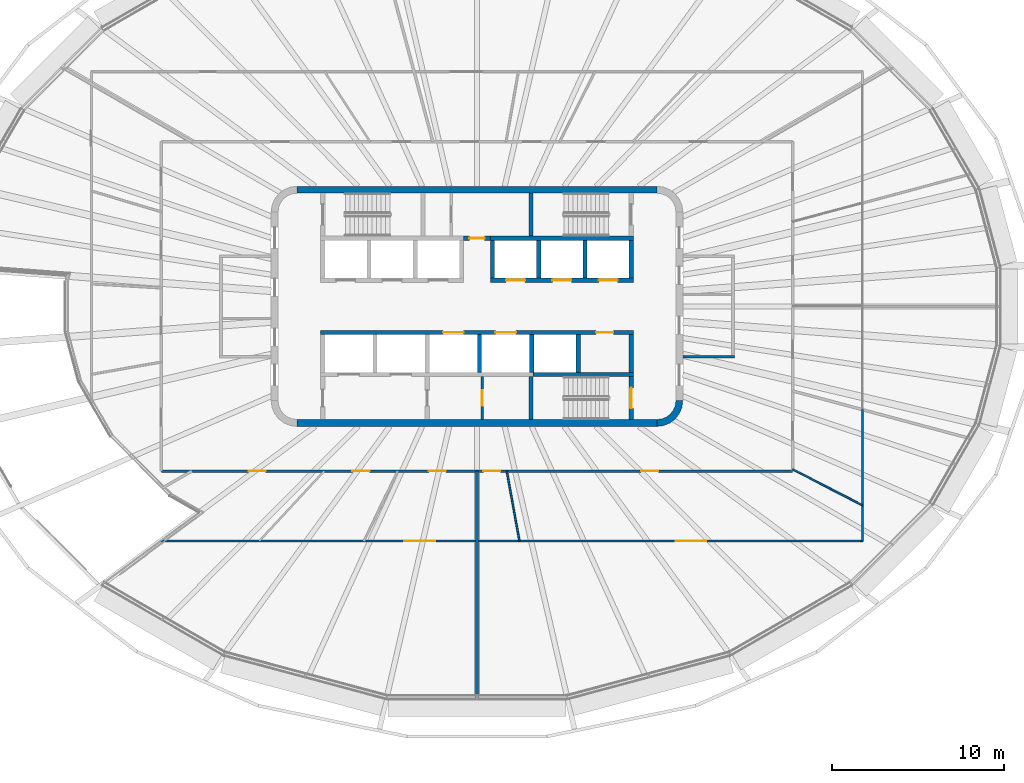
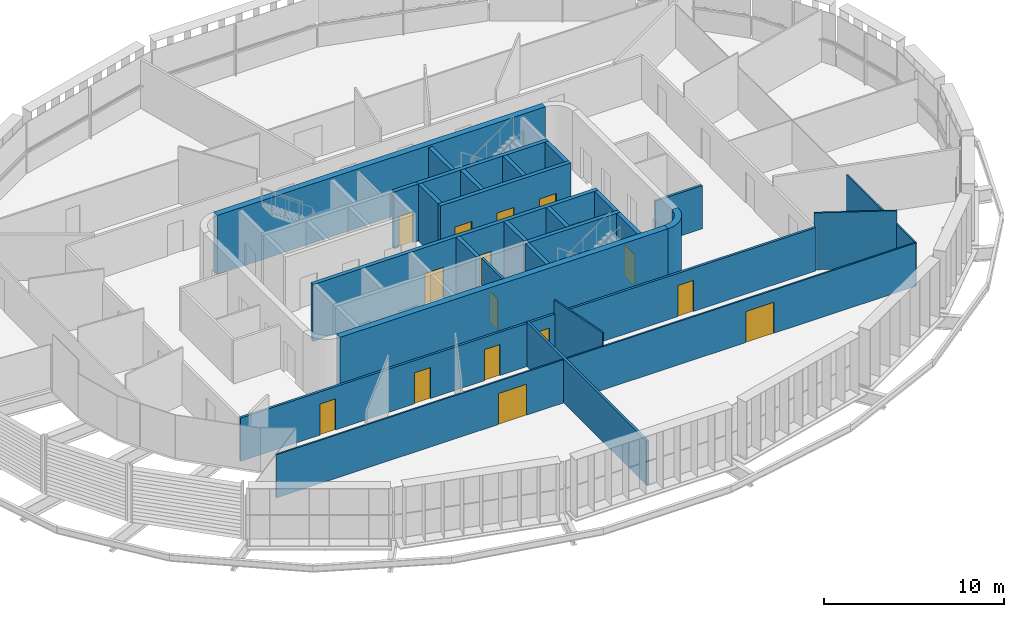
# One storey, part 11 of 20: 27 walls, 16 doors, 16 openings.
"""IFC4 building model written with IfcOpenShell, lengths in metres."""

from ifc_helpers import new_model, si_unit, direction, frame, frame_2d, origin, place, context, subcontext, project, spatial, polyline, rectangle, outline, extrude, material, layer, layer_set, type_object, element, fill, save


model = new_model("IFC4")

# Units and contexts
model_context = context("Model", 3, precision=1e-05, world=origin(), true_north=direction((0.0, 1.0)))
body_context = subcontext(model_context, "Body", "Model", "MODEL_VIEW")
ifc_project = project(units=[si_unit("LENGTHUNIT", "METRE"), si_unit("AREAUNIT", "SQUARE_METRE"), si_unit("VOLUMEUNIT", "CUBIC_METRE"), si_unit("PLANEANGLEUNIT", "RADIAN"), si_unit("MASSUNIT", "GRAM", prefix="KILO")], contexts=[model_context])

# Site, building, storey
site_placement = place(None, origin())
site = spatial("IfcSite", under=ifc_project, at=site_placement, CompositionType="ELEMENT")
building_placement = place(site_placement, origin())
building = spatial("IfcBuilding", under=site, at=building_placement, Name="Sahrelin Media Tower", CompositionType="ELEMENT")
storey_placement = place(building_placement, frame((0.0, 0.0, 225.60009765625)))
storey = spatial("IfcBuildingStorey", under=building, at=storey_placement, Name="L48", CompositionType="ELEMENT", Elevation=225.60009765625)

# Walls
ifc_material_1 = material(Name="Concrete C60/75", Category="concrete")
ifc_layer_1 = layer(ifc_material_1, 0.39990234375)
ifc_layer_set_1 = layer_set([ifc_layer_1], Name="Core wall 400")
wall_type_1 = type_object("IfcWallType", Name="Core wall 400", PredefinedType="SHEAR", material=ifc_layer_set_1)
for number, where, z_axis, x_axis, name in (
    (1, (-10.5, 6.800048828125, 0.0), (0.0, 0.0, 1.0), (1.0, 0.0, 0.0), "Core wall N L48"),
    (2, (-10.5, -6.800048828125, 0.0), (0.0, 0.0, 1.0), (1.0, 0.0, 0.0), "Core wall S L48"),
):
    element("IfcWall", number, at=place(storey_placement, frame(where, z_axis=z_axis, x_axis=x_axis)), inside=storey, type_object=wall_type_1, Name=name, PredefinedType="SHEAR", context=body_context, shape_type="SweptSolid", body=[
        extrude(rectangle(XDim=21.0, YDim=0.39990234375, at=frame_2d((10.5, 0.0))), origin(), (0.0, 0.0, 1.0), 4.0),
    ])
wall_1_placement = place(storey_placement, origin())
element("IfcWall", 3, at=wall_1_placement, inside=storey, type_object=wall_type_1, Name="Core wall corner SE L48", PredefinedType="SHEAR", context=body_context, shape_type="SweptSolid", body=[
    extrude(outline(polyline([(12.0, -5.5), (11.596435546875, -5.5), (11.55908203125, -5.78369140625), (11.44970703125, -6.04833984375), (11.275390625, -6.275390625), (11.04833984375, -6.44970703125), (10.78369140625, -6.55908203125), (10.5, -6.596435546875), (10.5, -7.0), (10.88818359375, -6.948974609375), (11.25, -6.799072265625), (11.560791015625, -6.560791015625), (11.799072265625, -6.25), (11.948974609375, -5.88818359375), (12.0, -5.5)])), origin(), (0.0, 0.0, 1.0), 4.0),
])

# Wall, opening, door
ifc_material_2 = material(Name="Fire-rated gypsum board partition")
ifc_layer_2 = layer(ifc_material_2, 0.25)
ifc_layer_set_2 = layer_set([ifc_layer_2], Name="Fire-rated lobby wall 250")
wall_type_2 = type_object("IfcWallType", Name="Fire-rated lobby wall 250", PredefinedType="PARTITIONING", material=ifc_layer_set_2)
wall_2_placement = place(storey_placement, frame((-0.77490234375, 3.97509765625, 0.0), z_axis=(0.0, 0.0, 1.0), x_axis=(1.0, 0.0, 0.0)))
wall_2 = element("IfcWall", 4, at=wall_2_placement, inside=storey, type_object=wall_type_2, Name="Core lobby wall", PredefinedType="PARTITIONING", context=body_context, shape_type="SweptSolid", body=[
    extrude(rectangle(XDim=1.5498046875, YDim=0.25, at=frame_2d((0.77490234375, 0.0))), origin(), (0.0, 0.0, 1.0), 3.849853515625),
])
opening_1_placement = place(wall_2_placement, frame((0.324951171875, 0.0, 0.0)))
opening_1 = element("IfcOpeningElement", 5, at=opening_1_placement, cuts=wall_2, Name="Opening L48-D06", PredefinedType="OPENING", context=body_context, shape_type="SweptSolid", body=[
    extrude(rectangle(XDim=0.89990234375, YDim=2.10009765625, at=frame_2d((0.449951171875, 1.050048828125))), frame((0.0, 0.125, 0.0), z_axis=(0.0, -1.0, 0.0), x_axis=(1.0, 0.0, 0.0)), (0.0, 0.0, 1.0), 0.25),
])
ifc_material_3 = material(Name="Steel fire door leaf", Category="steel")
door_type_1 = type_object("IfcDoorType", Name="Riser door 900 x 2100 EI 120", OperationType="NOTDEFINED", PredefinedType="DOOR", material=ifc_material_3)
door_1_placement = place(opening_1_placement, origin())
door_1 = element("IfcDoor", 6, at=door_1_placement, inside=storey, type_object=door_type_1, Name="Core room door", OperationType="SINGLE_SWING_LEFT", OverallHeight=2.10009765625, OverallWidth=0.89990234375, PredefinedType="DOOR", context=body_context, shape_type="SweptSolid", body=[
    extrude(rectangle(XDim=0.89990234375, YDim=2.10009765625, at=frame_2d((0.449951171875, 1.050048828125))), frame((0.0, 0.02490234375, 0.0), z_axis=(0.0, -1.0, 0.0), x_axis=(1.0, 0.0, 0.0)), (0.0, 0.0, 1.0), 0.050048828125),
])
fill(opening_1, door_1)

ifc_layer_3 = layer(ifc_material_2, 0.14990234375)
ifc_layer_set_3 = layer_set([ifc_layer_3], Name="Fire-rated partition 150")
wall_type_3 = type_object("IfcWallType", Name="Fire-rated partition 150", PredefinedType="PARTITIONING", material=ifc_layer_set_3)
wall_3_placement = place(storey_placement, frame((0.300048828125, -6.60009765625, 0.0), z_axis=(0.0, 0.0, 1.0), x_axis=(0.0, 1.0, 0.0)))
wall_3 = element("IfcWall", 7, at=wall_3_placement, inside=storey, type_object=wall_type_3, Name="Core room fire partition", PredefinedType="PARTITIONING", context=body_context, shape_type="SweptSolid", body=[
    extrude(rectangle(XDim=2.5, YDim=0.14990234375, at=frame_2d((1.25, 0.0))), origin(), (0.0, 0.0, 1.0), 3.849853515625),
])
opening_2_placement = place(wall_3_placement, frame((0.800048828125, 0.0, 0.0)))
opening_2 = element("IfcOpeningElement", 8, at=opening_2_placement, cuts=wall_3, Name="Opening L48-D08", PredefinedType="OPENING", context=body_context, shape_type="SweptSolid", body=[
    extrude(rectangle(XDim=0.89990234375, YDim=2.10009765625, at=frame_2d((0.449951171875, 1.050048828125))), frame((0.0, 0.074951171875, 0.0), z_axis=(0.0, -1.0, 0.0), x_axis=(1.0, 0.0, 0.0)), (0.0, 0.0, 1.0), 0.14990234375),
])
door_type_2 = type_object("IfcDoorType", Name="Fire door 900 x 2100 EI 60", OperationType="NOTDEFINED", PredefinedType="DOOR", material=ifc_material_3)
door_2_placement = place(opening_2_placement, origin())
door_2 = element("IfcDoor", 9, at=door_2_placement, inside=storey, type_object=door_type_2, Name="Core room door", OperationType="SINGLE_SWING_RIGHT", OverallHeight=2.10009765625, OverallWidth=0.89990234375, PredefinedType="DOOR", context=body_context, shape_type="SweptSolid", body=[
    extrude(rectangle(XDim=0.89990234375, YDim=2.10009765625, at=frame_2d((0.449951171875, 1.050048828125))), frame((0.0, 0.02490234375, 0.0), z_axis=(0.0, -1.0, 0.0), x_axis=(1.0, 0.0, 0.0)), (0.0, 0.0, 1.0), 0.050048828125),
])
fill(opening_2, door_2)

# Wall
wall_4_placement = place(storey_placement, frame((12.0, -2.925048828125, 0.0), z_axis=(0.0, 0.0, 1.0), x_axis=(1.0, 0.0, 0.0)))
element("IfcWall", 10, at=wall_4_placement, inside=storey, type_object=wall_type_3, Name="Core room fire partition", PredefinedType="PARTITIONING", context=body_context, shape_type="SweptSolid", body=[
    extrude(rectangle(XDim=3.0, YDim=0.14990234375, at=frame_2d((1.5, 0.0))), origin(), (0.0, 0.0, 1.0), 2.918212890625),
])

# Wall, openings, doors
wall_5_placement = place(storey_placement, frame((-18.39990234375, -9.60009765625, 0.0), z_axis=(0.0, 0.0, 1.0), x_axis=(1.0, 0.0, 0.0)))
wall_5 = element("IfcWall", 11, at=wall_5_placement, inside=storey, type_object=wall_type_3, Name="Wall", PredefinedType="PARTITIONING", context=body_context, shape_type="SweptSolid", body=[
    extrude(rectangle(XDim=36.7998046875, YDim=0.14990234375, at=frame_2d((18.39990234375, 0.0))), origin(), (0.0, 0.0, 1.0), 2.927001953125),
])
opening_3_placement = place(wall_5_placement, frame((5.081787109375, 0.0, 0.0)))
opening_3 = element("IfcOpeningElement", 12, at=opening_3_placement, cuts=wall_5, Name="Opening L48-D23", PredefinedType="OPENING", context=body_context, shape_type="SweptSolid", body=[
    extrude(rectangle(XDim=1.0, YDim=2.10009765625, at=frame_2d((0.5, 1.050048828125))), frame((0.0, 0.074951171875, 0.0), z_axis=(0.0, -1.0, 0.0), x_axis=(1.0, 0.0, 0.0)), (0.0, 0.0, 1.0), 0.14990234375),
])
opening_4_placement = place(wall_5_placement, frame((11.134521484375, 0.0, 0.0)))
opening_4 = element("IfcOpeningElement", 13, at=opening_4_placement, cuts=wall_5, Name="Opening L48-D24", PredefinedType="OPENING", context=body_context, shape_type="SweptSolid", body=[
    extrude(rectangle(XDim=1.0, YDim=2.10009765625, at=frame_2d((0.5, 1.050048828125))), frame((0.0, 0.074951171875, 0.0), z_axis=(0.0, -1.0, 0.0), x_axis=(1.0, 0.0, 0.0)), (0.0, 0.0, 1.0), 0.14990234375),
])
opening_5_placement = place(wall_5_placement, frame((15.58837890625, 0.0, 0.0)))
opening_5 = element("IfcOpeningElement", 14, at=opening_5_placement, cuts=wall_5, Name="Opening L48-D25", PredefinedType="OPENING", context=body_context, shape_type="SweptSolid", body=[
    extrude(rectangle(XDim=1.0, YDim=2.10009765625, at=frame_2d((0.5, 1.050048828125))), frame((0.0, 0.074951171875, 0.0), z_axis=(0.0, -1.0, 0.0), x_axis=(1.0, 0.0, 0.0)), (0.0, 0.0, 1.0), 0.14990234375),
])
opening_6_placement = place(wall_5_placement, frame((18.76806640625, 0.0, 0.0)))
opening_6 = element("IfcOpeningElement", 15, at=opening_6_placement, cuts=wall_5, Name="Opening L48-D27", PredefinedType="OPENING", context=body_context, shape_type="SweptSolid", body=[
    extrude(rectangle(XDim=1.0, YDim=2.10009765625, at=frame_2d((0.5, 1.050048828125))), frame((0.0, 0.074951171875, 0.0), z_axis=(0.0, -1.0, 0.0), x_axis=(1.0, 0.0, 0.0)), (0.0, 0.0, 1.0), 0.14990234375),
])
opening_7_placement = place(wall_5_placement, frame((27.968017578125, 0.0, 0.0)))
opening_7 = element("IfcOpeningElement", 16, at=opening_7_placement, cuts=wall_5, Name="Opening L48-D28", PredefinedType="OPENING", context=body_context, shape_type="SweptSolid", body=[
    extrude(rectangle(XDim=1.0, YDim=2.10009765625, at=frame_2d((0.5, 1.050048828125))), frame((0.0, 0.074951171875, 0.0), z_axis=(0.0, -1.0, 0.0), x_axis=(1.0, 0.0, 0.0)), (0.0, 0.0, 1.0), 0.14990234375),
])
door_type_3 = type_object("IfcDoorType", Name="Fire door 1000 x 2100 EI 60", OperationType="NOTDEFINED", PredefinedType="DOOR", material=ifc_material_3)
door_3_placement = place(opening_3_placement, origin())
door_3 = element("IfcDoor", 17, at=door_3_placement, inside=storey, type_object=door_type_3, Name="Fire door", OperationType="SINGLE_SWING_LEFT", OverallHeight=2.10009765625, OverallWidth=1.0, PredefinedType="DOOR", context=body_context, shape_type="SweptSolid", body=[
    extrude(rectangle(XDim=1.0, YDim=2.10009765625, at=frame_2d((0.5, 1.050048828125))), frame((0.0, 0.02490234375, 0.0), z_axis=(0.0, -1.0, 0.0), x_axis=(1.0, 0.0, 0.0)), (0.0, 0.0, 1.0), 0.050048828125),
])
fill(opening_3, door_3)
door_4_placement = place(opening_4_placement, origin())
door_4 = element("IfcDoor", 18, at=door_4_placement, inside=storey, type_object=door_type_3, Name="Fire door", OperationType="SINGLE_SWING_LEFT", OverallHeight=2.10009765625, OverallWidth=1.0, PredefinedType="DOOR", context=body_context, shape_type="SweptSolid", body=[
    extrude(rectangle(XDim=1.0, YDim=2.10009765625, at=frame_2d((0.5, 1.050048828125))), frame((0.0, 0.02490234375, 0.0), z_axis=(0.0, -1.0, 0.0), x_axis=(1.0, 0.0, 0.0)), (0.0, 0.0, 1.0), 0.050048828125),
])
fill(opening_4, door_4)
door_5_placement = place(opening_5_placement, origin())
door_5 = element("IfcDoor", 19, at=door_5_placement, inside=storey, type_object=door_type_3, Name="Fire door", OperationType="SINGLE_SWING_LEFT", OverallHeight=2.10009765625, OverallWidth=1.0, PredefinedType="DOOR", context=body_context, shape_type="SweptSolid", body=[
    extrude(rectangle(XDim=1.0, YDim=2.10009765625, at=frame_2d((0.5, 1.050048828125))), frame((0.0, 0.02490234375, 0.0), z_axis=(0.0, -1.0, 0.0), x_axis=(1.0, 0.0, 0.0)), (0.0, 0.0, 1.0), 0.050048828125),
])
fill(opening_5, door_5)
door_6_placement = place(opening_6_placement, origin())
door_6 = element("IfcDoor", 20, at=door_6_placement, inside=storey, type_object=door_type_3, Name="Fire door", OperationType="SINGLE_SWING_LEFT", OverallHeight=2.10009765625, OverallWidth=1.0, PredefinedType="DOOR", context=body_context, shape_type="SweptSolid", body=[
    extrude(rectangle(XDim=1.0, YDim=2.10009765625, at=frame_2d((0.5, 1.050048828125))), frame((0.0, 0.02490234375, 0.0), z_axis=(0.0, -1.0, 0.0), x_axis=(1.0, 0.0, 0.0)), (0.0, 0.0, 1.0), 0.050048828125),
])
fill(opening_6, door_6)
door_7_placement = place(opening_7_placement, origin())
door_7 = element("IfcDoor", 21, at=door_7_placement, inside=storey, type_object=door_type_3, Name="Fire door", OperationType="SINGLE_SWING_RIGHT", OverallHeight=2.10009765625, OverallWidth=1.0, PredefinedType="DOOR", context=body_context, shape_type="SweptSolid", body=[
    extrude(rectangle(XDim=1.0, YDim=2.10009765625, at=frame_2d((0.5, 1.050048828125))), frame((0.0, 0.02490234375, 0.0), z_axis=(0.0, -1.0, 0.0), x_axis=(1.0, 0.0, 0.0)), (0.0, 0.0, 1.0), 0.050048828125),
])
fill(opening_7, door_7)

# Wall
wall_6_placement = place(storey_placement, frame((0.0, -22.903076171875, 0.0), z_axis=(0.0, 0.0, 1.0), x_axis=(0.0, 1.0, 0.0)))
element("IfcWall", 22, at=wall_6_placement, inside=storey, type_object=wall_type_3, Name="Wall", PredefinedType="PARTITIONING", context=body_context, shape_type="SweptSolid", body=[
    extrude(rectangle(XDim=13.302978515625, YDim=0.14990234375, at=frame_2d((6.6513671875, 0.0))), origin(), (0.0, 0.0, 1.0), 2.994873046875),
])

# Wall, openings, doors
ifc_layer_4 = layer(ifc_material_1, 0.25)
ifc_layer_set_4 = layer_set([ifc_layer_4], Name="Lift shaft wall 250")
wall_type_4 = type_object("IfcWallType", Name="Lift shaft wall 250", PredefinedType="SOLIDWALL", material=ifc_layer_set_4)
wall_7_placement = place(storey_placement, frame((0.77490234375, 1.52490234375, 0.0), z_axis=(0.0, 0.0, 1.0), x_axis=(1.0, 0.0, 0.0)))
wall_7 = element("IfcWall", 23, at=wall_7_placement, inside=storey, type_object=wall_type_4, Name="Lift shaft wall", PredefinedType="SOLIDWALL", context=body_context, shape_type="SweptSolid", body=[
    extrude(rectangle(XDim=8.35009765625, YDim=0.25, at=frame_2d((4.175048828125, 0.0))), origin(), (0.0, 0.0, 1.0), 3.849853515625),
])
opening_8_placement = place(wall_7_placement, frame((0.925048828125, 0.0, 0.0)))
opening_8 = element("IfcOpeningElement", 24, at=opening_8_placement, cuts=wall_7, Name="Opening L48-LD-HR4", PredefinedType="OPENING", context=body_context, shape_type="SweptSolid", body=[
    extrude(rectangle(XDim=1.10009765625, YDim=2.10009765625, at=frame_2d((0.550048828125, 1.050048828125))), frame((0.0, 0.125, 0.0), z_axis=(0.0, -1.0, 0.0), x_axis=(1.0, 0.0, 0.0)), (0.0, 0.0, 1.0), 0.25),
])
opening_9_placement = place(wall_7_placement, frame((3.625, 0.0, 0.0)))
opening_9 = element("IfcOpeningElement", 25, at=opening_9_placement, cuts=wall_7, Name="Opening L48-LD-HR5", PredefinedType="OPENING", context=body_context, shape_type="SweptSolid", body=[
    extrude(rectangle(XDim=1.10009765625, YDim=2.10009765625, at=frame_2d((0.550048828125, 1.050048828125))), frame((0.0, 0.125, 0.0), z_axis=(0.0, -1.0, 0.0), x_axis=(1.0, 0.0, 0.0)), (0.0, 0.0, 1.0), 0.25),
])
opening_10_placement = place(wall_7_placement, frame((6.324951171875, 0.0, 0.0)))
opening_10 = element("IfcOpeningElement", 26, at=opening_10_placement, cuts=wall_7, Name="Opening L48-LD-HR6", PredefinedType="OPENING", context=body_context, shape_type="SweptSolid", body=[
    extrude(rectangle(XDim=1.10009765625, YDim=2.10009765625, at=frame_2d((0.550048828125, 1.050048828125))), frame((0.0, 0.125, 0.0), z_axis=(0.0, -1.0, 0.0), x_axis=(1.0, 0.0, 0.0)), (0.0, 0.0, 1.0), 0.25),
])
ifc_material_4 = material(Name="Stainless steel", Category="steel")
door_type_4 = type_object("IfcDoorType", Name="Lift landing door 1100 x 2100 EI 120", OperationType="DOUBLE_DOOR_SLIDING", PredefinedType="DOOR", material=ifc_material_4)
door_8_placement = place(opening_8_placement, origin())
door_8 = element("IfcDoor", 27, at=door_8_placement, inside=storey, type_object=door_type_4, Name="Lift landing door HR4", OperationType="DOUBLE_DOOR_SLIDING", OverallHeight=2.10009765625, OverallWidth=1.10009765625, PredefinedType="DOOR", context=body_context, shape_type="SweptSolid", body=[
    extrude(rectangle(XDim=1.10009765625, YDim=2.10009765625, at=frame_2d((0.550048828125, 1.050048828125))), frame((0.0, 0.02490234375, 0.0), z_axis=(0.0, -1.0, 0.0), x_axis=(1.0, 0.0, 0.0)), (0.0, 0.0, 1.0), 0.050048828125),
])
fill(opening_8, door_8)
door_9_placement = place(opening_9_placement, origin())
door_9 = element("IfcDoor", 28, at=door_9_placement, inside=storey, type_object=door_type_4, Name="Lift landing door HR5", OperationType="DOUBLE_DOOR_SLIDING", OverallHeight=2.10009765625, OverallWidth=1.10009765625, PredefinedType="DOOR", context=body_context, shape_type="SweptSolid", body=[
    extrude(rectangle(XDim=1.10009765625, YDim=2.10009765625, at=frame_2d((0.550048828125, 1.050048828125))), frame((0.0, 0.02490234375, 0.0), z_axis=(0.0, -1.0, 0.0), x_axis=(1.0, 0.0, 0.0)), (0.0, 0.0, 1.0), 0.050048828125),
])
fill(opening_9, door_9)
door_10_placement = place(opening_10_placement, origin())
door_10 = element("IfcDoor", 29, at=door_10_placement, inside=storey, type_object=door_type_4, Name="Lift landing door HR6", OperationType="DOUBLE_DOOR_SLIDING", OverallHeight=2.10009765625, OverallWidth=1.10009765625, PredefinedType="DOOR", context=body_context, shape_type="SweptSolid", body=[
    extrude(rectangle(XDim=1.10009765625, YDim=2.10009765625, at=frame_2d((0.550048828125, 1.050048828125))), frame((0.0, 0.02490234375, 0.0), z_axis=(0.0, -1.0, 0.0), x_axis=(1.0, 0.0, 0.0)), (0.0, 0.0, 1.0), 0.050048828125),
])
fill(opening_10, door_10)

# Walls
wall_8_placement = place(storey_placement, frame((0.77490234375, 3.97509765625, 0.0), z_axis=(0.0, 0.0, 1.0), x_axis=(1.0, 0.0, 0.0)))
element("IfcWall", 30, at=wall_8_placement, inside=storey, type_object=wall_type_4, Name="Lift shaft wall", PredefinedType="SOLIDWALL", context=body_context, shape_type="SweptSolid", body=[
    extrude(rectangle(XDim=8.35009765625, YDim=0.25, at=frame_2d((4.175048828125, 0.0))), origin(), (0.0, 0.0, 1.0), 3.849853515625),
])
for number, where, z_axis, x_axis, name in (
    (31, (9.0, 1.64990234375, 0.0), (0.0, 0.0, 1.0), (0.0, 1.0, 0.0), "Lift shaft wall"),
    (32, (6.300048828125, 1.64990234375, 0.0), (0.0, 0.0, 1.0), (0.0, 1.0, 0.0), "Lift shaft wall"),
    (33, (3.60009765625, 1.64990234375, 0.0), (0.0, 0.0, 1.0), (0.0, 1.0, 0.0), "Lift shaft wall"),
    (34, (0.89990234375, 1.64990234375, 0.0), (0.0, 0.0, 1.0), (0.0, 1.0, 0.0), "Lift shaft wall"),
):
    element("IfcWall", number, at=place(storey_placement, frame(where, z_axis=z_axis, x_axis=x_axis)), inside=storey, type_object=wall_type_4, Name=name, PredefinedType="SOLIDWALL", context=body_context, shape_type="SweptSolid", body=[
        extrude(rectangle(XDim=2.2001953125, YDim=0.25, at=frame_2d((1.10009765625, 0.0))), origin(), (0.0, 0.0, 1.0), 3.849853515625),
    ])

# Wall, openings, doors
wall_9_placement = place(storey_placement, frame((-9.125, -1.52490234375, 0.0), z_axis=(0.0, 0.0, 1.0), x_axis=(1.0, 0.0, 0.0)))
wall_9 = element("IfcWall", 35, at=wall_9_placement, inside=storey, type_object=wall_type_4, Name="Lift shaft wall", PredefinedType="SOLIDWALL", context=body_context, shape_type="SweptSolid", body=[
    extrude(rectangle(XDim=18.25, YDim=0.25, at=frame_2d((9.125, 0.0))), origin(), (0.0, 0.0, 1.0), 3.849853515625),
])
opening_11_placement = place(wall_9_placement, frame((7.14990234375, 0.0, 0.0)))
opening_11 = element("IfcOpeningElement", 36, at=opening_11_placement, cuts=wall_9, Name="Opening L48-LD-SV1", PredefinedType="OPENING", context=body_context, shape_type="SweptSolid", body=[
    extrude(rectangle(XDim=1.199951171875, YDim=2.10009765625, at=frame_2d((0.60009765625, 1.050048828125))), frame((0.0, 0.125, 0.0), z_axis=(0.0, -1.0, 0.0), x_axis=(1.0, 0.0, 0.0)), (0.0, 0.0, 1.0), 0.25),
])
opening_12_placement = place(wall_9_placement, frame((10.199951171875, 0.0, 0.0)))
opening_12 = element("IfcOpeningElement", 37, at=opening_12_placement, cuts=wall_9, Name="Opening L48-LD-SV2", PredefinedType="OPENING", context=body_context, shape_type="SweptSolid", body=[
    extrude(rectangle(XDim=1.199951171875, YDim=2.10009765625, at=frame_2d((0.60009765625, 1.050048828125))), frame((0.0, 0.125, 0.0), z_axis=(0.0, -1.0, 0.0), x_axis=(1.0, 0.0, 0.0)), (0.0, 0.0, 1.0), 0.25),
])
opening_13_placement = place(wall_9_placement, frame((16.074951171875, 0.0, 0.0)))
opening_13 = element("IfcOpeningElement", 38, at=opening_13_placement, cuts=wall_9, Name="Opening L48-D09", PredefinedType="OPENING", context=body_context, shape_type="SweptSolid", body=[
    extrude(rectangle(XDim=1.0, YDim=2.10009765625, at=frame_2d((0.5, 1.050048828125))), frame((0.0, 0.125, 0.0), z_axis=(0.0, -1.0, 0.0), x_axis=(1.0, 0.0, 0.0)), (0.0, 0.0, 1.0), 0.25),
])
door_11_placement = place(opening_13_placement, origin())
door_11 = element("IfcDoor", 39, at=door_11_placement, inside=storey, type_object=door_type_3, Name="Core room door", OperationType="SINGLE_SWING_RIGHT", OverallHeight=2.10009765625, OverallWidth=1.0, PredefinedType="DOOR", context=body_context, shape_type="SweptSolid", body=[
    extrude(rectangle(XDim=1.0, YDim=2.10009765625, at=frame_2d((0.5, 1.050048828125))), frame((0.0, 0.02490234375, 0.0), z_axis=(0.0, -1.0, 0.0), x_axis=(1.0, 0.0, 0.0)), (0.0, 0.0, 1.0), 0.050048828125),
])
fill(opening_13, door_11)
door_type_5 = type_object("IfcDoorType", Name="Lift landing door 1200 x 2100 EI 120", OperationType="DOUBLE_DOOR_SLIDING", PredefinedType="DOOR", material=ifc_material_4)
door_12_placement = place(opening_11_placement, origin())
door_12 = element("IfcDoor", 40, at=door_12_placement, inside=storey, type_object=door_type_5, Name="Lift landing door SV1", OperationType="DOUBLE_DOOR_SLIDING", OverallHeight=2.10009765625, OverallWidth=1.199951171875, PredefinedType="DOOR", context=body_context, shape_type="SweptSolid", body=[
    extrude(rectangle(XDim=1.199951171875, YDim=2.10009765625, at=frame_2d((0.60009765625, 1.050048828125))), frame((0.0, 0.02490234375, 0.0), z_axis=(0.0, -1.0, 0.0), x_axis=(1.0, 0.0, 0.0)), (0.0, 0.0, 1.0), 0.050048828125),
])
fill(opening_11, door_12)
door_13_placement = place(opening_12_placement, origin())
door_13 = element("IfcDoor", 41, at=door_13_placement, inside=storey, type_object=door_type_5, Name="Lift landing door SV2", OperationType="DOUBLE_DOOR_SLIDING", OverallHeight=2.10009765625, OverallWidth=1.199951171875, PredefinedType="DOOR", context=body_context, shape_type="SweptSolid", body=[
    extrude(rectangle(XDim=1.199951171875, YDim=2.10009765625, at=frame_2d((0.60009765625, 1.050048828125))), frame((0.0, 0.02490234375, 0.0), z_axis=(0.0, -1.0, 0.0), x_axis=(1.0, 0.0, 0.0)), (0.0, 0.0, 1.0), 0.050048828125),
])
fill(opening_12, door_13)

# Walls
wall_10_placement = place(storey_placement, frame((3.27490234375, -3.97509765625, 0.0), z_axis=(0.0, 0.0, 1.0), x_axis=(1.0, 0.0, 0.0)))
element("IfcWall", 42, at=wall_10_placement, inside=storey, type_object=wall_type_4, Name="Lift shaft wall", PredefinedType="SOLIDWALL", context=body_context, shape_type="SweptSolid", body=[
    extrude(rectangle(XDim=5.85009765625, YDim=0.25, at=frame_2d((2.925048828125, 0.0))), origin(), (0.0, 0.0, 1.0), 3.849853515625),
])
for number, where, z_axis, x_axis, name in (
    (43, (0.14990234375, -3.85009765625, 0.0), (0.0, 0.0, 1.0), (0.0, 1.0, 0.0), "Lift shaft wall"),
    (44, (3.199951171875, -3.85009765625, 0.0), (0.0, 0.0, 1.0), (0.0, 1.0, 0.0), "Lift shaft wall"),
    (45, (5.89990234375, -3.85009765625, 0.0), (0.0, 0.0, 1.0), (0.0, 1.0, 0.0), "Lift shaft wall"),
    (46, (9.0, -3.85009765625, 0.0), (0.0, 0.0, 1.0), (0.0, 1.0, 0.0), "Lift shaft wall"),
):
    element("IfcWall", number, at=place(storey_placement, frame(where, z_axis=z_axis, x_axis=x_axis)), inside=storey, type_object=wall_type_4, Name=name, PredefinedType="SOLIDWALL", context=body_context, shape_type="SweptSolid", body=[
        extrude(rectangle(XDim=2.2001953125, YDim=0.25, at=frame_2d((1.10009765625, 0.0))), origin(), (0.0, 0.0, 1.0), 3.849853515625),
    ])
ifc_material_5 = material(Name="Gypsum board partition")
ifc_layer_5 = layer(ifc_material_5, 0.10009765625)
ifc_layer_set_5 = layer_set([ifc_layer_5], Name="Partition 100")
wall_type_5 = type_object("IfcWallType", Name="Partition 100", PredefinedType="PARTITIONING", material=ifc_layer_set_5)
wall_11_placement = place(storey_placement, frame((1.736083984375, -9.60009765625, 0.0), z_axis=(0.0, 0.0, 1.0), x_axis=(0.178009628273, -0.984028745638, 0.0)))
element("IfcWall", 47, at=wall_11_placement, inside=storey, type_object=wall_type_5, Name="Wall", PredefinedType="PARTITIONING", context=body_context, shape_type="SweptSolid", body=[
    extrude(rectangle(XDim=4.14599609375, YDim=0.10009765625, at=frame_2d((2.072998046875, 0.0))), origin(), (0.0, 0.0, 1.0), 3.849853515625),
])
wall_12_placement = place(storey_placement, frame((18.39990234375, -9.4970703125, 0.0), z_axis=(0.0, 0.0, 1.0), x_axis=(0.888610870054, -0.458661881587, 0.0)))
element("IfcWall", 48, at=wall_12_placement, inside=storey, type_object=wall_type_5, Name="Wall", PredefinedType="PARTITIONING", context=body_context, shape_type="SweptSolid", body=[
    extrude(rectangle(XDim=4.591552734375, YDim=0.10009765625, at=frame_2d((2.2958984375, 0.0))), origin(), (0.0, 0.0, 1.0), 3.849853515625),
])

# Wall, openings, doors
wall_13_placement = place(storey_placement, frame((-18.447998046875, -13.679931640625, 0.0), z_axis=(0.0, 0.0, 1.0), x_axis=(1.0, 0.0, 0.0)))
wall_13 = element("IfcWall", 49, at=wall_13_placement, inside=storey, type_object=wall_type_5, Name="Wall", PredefinedType="PARTITIONING", context=body_context, shape_type="SweptSolid", body=[
    extrude(rectangle(XDim=40.927978515625, YDim=0.10009765625, at=frame_2d((20.4638671875, 0.0))), origin(), (0.0, 0.0, 1.0), 2.927001953125),
])
opening_14_placement = place(wall_13_placement, frame((14.20263671875, 0.0, 0.0)))
opening_14 = element("IfcOpeningElement", 50, at=opening_14_placement, cuts=wall_13, Name="Opening L48-D26", PredefinedType="OPENING", context=body_context, shape_type="SweptSolid", body=[
    extrude(rectangle(XDim=1.800048828125, YDim=2.10009765625, at=frame_2d((0.89990234375, 1.050048828125))), frame((0.0, 0.050048828125, 0.0), z_axis=(0.0, -1.0, 0.0), x_axis=(1.0, 0.0, 0.0)), (0.0, 0.0, 1.0), 0.10009765625),
])
opening_15_placement = place(wall_13_placement, frame((30.02490234375, 0.0, 0.0)))
opening_15 = element("IfcOpeningElement", 51, at=opening_15_placement, cuts=wall_13, Name="Opening L48-D30", PredefinedType="OPENING", context=body_context, shape_type="SweptSolid", body=[
    extrude(rectangle(XDim=1.800048828125, YDim=2.10009765625, at=frame_2d((0.89990234375, 1.050048828125))), frame((0.0, 0.050048828125, 0.0), z_axis=(0.0, -1.0, 0.0), x_axis=(1.0, 0.0, 0.0)), (0.0, 0.0, 1.0), 0.10009765625),
])
ifc_material_6 = material(Name="Timber door leaf", Category="wood")
door_type_6 = type_object("IfcDoorType", Name="Double door 1800 x 2100", OperationType="DOUBLE_DOOR_SINGLE_SWING", PredefinedType="DOOR", material=ifc_material_6)
door_14_placement = place(opening_14_placement, origin())
door_14 = element("IfcDoor", 52, at=door_14_placement, inside=storey, type_object=door_type_6, Name="Double door", OperationType="DOUBLE_DOOR_SINGLE_SWING", OverallHeight=2.10009765625, OverallWidth=1.800048828125, PredefinedType="DOOR", context=body_context, shape_type="SweptSolid", body=[
    extrude(rectangle(XDim=1.800048828125, YDim=2.10009765625, at=frame_2d((0.89990234375, 1.050048828125))), frame((0.0, 0.02490234375, 0.0), z_axis=(0.0, -1.0, 0.0), x_axis=(1.0, 0.0, 0.0)), (0.0, 0.0, 1.0), 0.050048828125),
])
fill(opening_14, door_14)
door_15_placement = place(opening_15_placement, origin())
door_15 = element("IfcDoor", 53, at=door_15_placement, inside=storey, type_object=door_type_6, Name="Double door", OperationType="DOUBLE_DOOR_SINGLE_SWING", OverallHeight=2.10009765625, OverallWidth=1.800048828125, PredefinedType="DOOR", context=body_context, shape_type="SweptSolid", body=[
    extrude(rectangle(XDim=1.800048828125, YDim=2.10009765625, at=frame_2d((0.89990234375, 1.050048828125))), frame((0.0, 0.02490234375, 0.0), z_axis=(0.0, -1.0, 0.0), x_axis=(1.0, 0.0, 0.0)), (0.0, 0.0, 1.0), 0.050048828125),
])
fill(opening_15, door_15)

# Wall
wall_14_placement = place(storey_placement, frame((22.47998046875, -13.679931640625, 0.0), z_axis=(0.0, 0.0, 1.0), x_axis=(0.0, 1.0, 0.0)))
element("IfcWall", 54, at=wall_14_placement, inside=storey, type_object=wall_type_5, Name="Wall", PredefinedType="PARTITIONING", context=body_context, shape_type="SweptSolid", body=[
    extrude(rectangle(XDim=7.656982421875, YDim=0.10009765625, at=frame_2d((3.82861328125, 0.0))), origin(), (0.0, 0.0, 1.0), 2.927001953125),
])

# Wall, opening, door
ifc_layer_6 = layer(ifc_material_1, 0.25)
ifc_layer_set_6 = layer_set([ifc_layer_6], Name="Stair enclosure wall 250")
wall_type_6 = type_object("IfcWallType", Name="Stair enclosure wall 250", PredefinedType="SOLIDWALL", material=ifc_layer_set_6)
wall_15_placement = place(storey_placement, frame((9.0, -6.60009765625, 0.0), z_axis=(0.0, 0.0, 1.0), x_axis=(0.0, 1.0, 0.0)))
wall_15 = element("IfcWall", 55, at=wall_15_placement, inside=storey, type_object=wall_type_6, Name="Stair enclosure wall", PredefinedType="SOLIDWALL", context=body_context, shape_type="SweptSolid", body=[
    extrude(rectangle(XDim=2.5, YDim=0.25, at=frame_2d((1.25, 0.0))), origin(), (0.0, 0.0, 1.0), 3.849853515625),
])
opening_16_placement = place(wall_15_placement, frame((0.64990234375, 0.0, 0.0)))
opening_16 = element("IfcOpeningElement", 56, at=opening_16_placement, cuts=wall_15, Name="Opening L48-D03", PredefinedType="OPENING", context=body_context, shape_type="SweptSolid", body=[
    extrude(rectangle(XDim=1.199951171875, YDim=2.10009765625, at=frame_2d((0.60009765625, 1.050048828125))), frame((0.0, 0.125, 0.0), z_axis=(0.0, -1.0, 0.0), x_axis=(1.0, 0.0, 0.0)), (0.0, 0.0, 1.0), 0.25),
])
door_type_7 = type_object("IfcDoorType", Name="Stair door 1200 x 2100 EI 120", OperationType="NOTDEFINED", PredefinedType="DOOR", material=ifc_material_3)
door_16_placement = place(opening_16_placement, origin())
door_16 = element("IfcDoor", 57, at=door_16_placement, inside=storey, type_object=door_type_7, Name="Stair door ST2", OperationType="SINGLE_SWING_LEFT", OverallHeight=2.10009765625, OverallWidth=1.199951171875, PredefinedType="DOOR", context=body_context, shape_type="SweptSolid", body=[
    extrude(rectangle(XDim=1.199951171875, YDim=2.10009765625, at=frame_2d((0.60009765625, 1.050048828125))), frame((0.0, 0.02490234375, 0.0), z_axis=(0.0, -1.0, 0.0), x_axis=(1.0, 0.0, 0.0)), (0.0, 0.0, 1.0), 0.050048828125),
])
fill(opening_16, door_16)

# Walls
for number, where, z_axis, x_axis, name in (
    (58, (3.14990234375, 4.10009765625, 0.0), (0.0, 0.0, 1.0), (0.0, 1.0, 0.0), "Stair enclosure wall"),
    (59, (3.14990234375, -6.60009765625, 0.0), (0.0, 0.0, 1.0), (0.0, 1.0, 0.0), "Stair enclosure wall"),
):
    element("IfcWall", number, at=place(storey_placement, frame(where, z_axis=z_axis, x_axis=x_axis)), inside=storey, type_object=wall_type_6, Name=name, PredefinedType="SOLIDWALL", context=body_context, shape_type="SweptSolid", body=[
        extrude(rectangle(XDim=2.5, YDim=0.25, at=frame_2d((1.25, 0.0))), origin(), (0.0, 0.0, 1.0), 3.849853515625),
    ])

save(model, "model.ifc")
